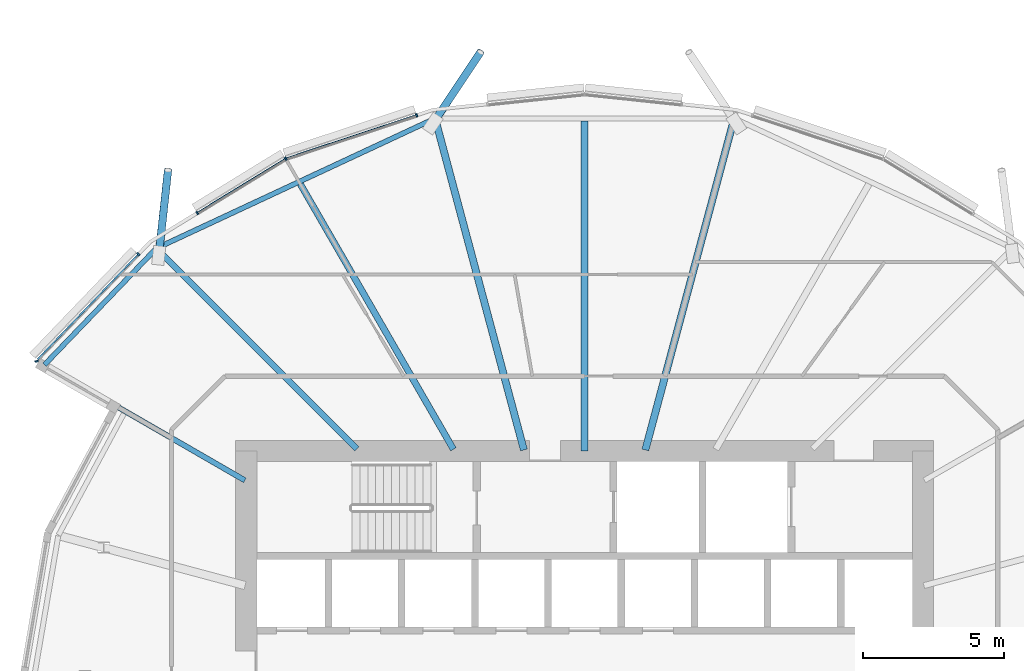
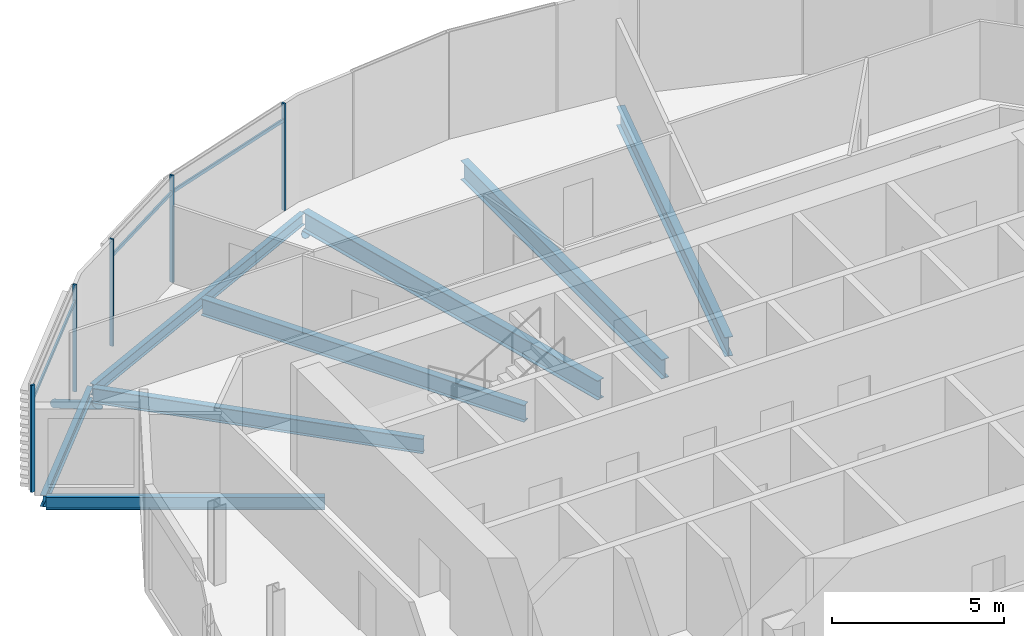
# One storey, part 10 of 38: 10 members, 8 beams, 1 element without a shape of its own.
"""IFC4 building model written with IfcOpenShell, lengths in metres."""

from ifc_helpers import new_model, si_unit, direction, frame, origin, origin_2d, place, context, subcontext, project, spatial, rectangle, hollow_circle, i_section, extrude, clip, halfspace, material, material_profile, profile_set, type_object, element, aggregate, save


model = new_model("IFC4")

# Units and contexts
model_context = context("Model", 3, precision=1e-05, world=origin(), true_north=direction((0.0, 1.0)))
body_context = subcontext(model_context, "Body", "Model", "MODEL_VIEW")
ifc_project = project(units=[si_unit("LENGTHUNIT", "METRE"), si_unit("AREAUNIT", "SQUARE_METRE"), si_unit("VOLUMEUNIT", "CUBIC_METRE"), si_unit("PLANEANGLEUNIT", "RADIAN"), si_unit("MASSUNIT", "GRAM", prefix="KILO")], contexts=[model_context])

# Site, building, storey
site_placement = place(None, origin())
site = spatial("IfcSite", under=ifc_project, at=site_placement, CompositionType="ELEMENT")
building_placement = place(site_placement, origin())
building = spatial("IfcBuilding", under=site, at=building_placement, Name="Rimbun Link Towers", CompositionType="ELEMENT")
storey_placement = place(building_placement, frame((0.0, 0.0, 123.39990234375)))
storey = spatial("IfcBuildingStorey", under=building, at=storey_placement, Name="L30", CompositionType="ELEMENT", Elevation=123.39990234375)

# Curtain wall, members
ifc_material_1 = material(Name="Aluminium 6063-T6 and low-iron glass", Category="aluminium")
curtain_wall_type = type_object("IfcCurtainWallType", Name="CW1-Z2 unitised vision wall (zone 2)", PredefinedType="NOTDEFINED", material=ifc_material_1)
curtain_wall_placement = place(storey_placement, origin())
curtain_wall = element("IfcCurtainWall", 1, at=curtain_wall_placement, inside=storey, type_object=curtain_wall_type, Name="CW1 L30 T1", PredefinedType="NOTDEFINED")
ifc_material_2 = material(Name="Aluminium 6063-T6", Category="aluminium")
ifc_material_profile_1 = material_profile(ifc_material_2, rectangle(XDim=0.1201171875, YDim=0.06005859375, at=origin_2d()), Name="MULLION 60X120")
ifc_profile_set_1 = profile_set([ifc_material_profile_1], Name="Aluminium 6063-T6")
member_type_1 = type_object("IfcMemberType", Name="CW1 mullion 60X120", PredefinedType="MULLION", material=ifc_profile_set_1)
member_1_placement = place(storey_placement, frame((-42.34619140625, 18.364013671875, 0.0), z_axis=(0.0, 0.0, 1.0), x_axis=(-0.421704717158, 0.9067332196, 0.0)))
member_1 = element("IfcMember", 2, at=member_1_placement, type_object=member_type_1, Name="CW1 mullion", PredefinedType="MULLION", context=body_context, shape_type="SweptSolid", body=[
    extrude(rectangle(XDim=0.1201171875, YDim=0.06005859375, at=origin_2d()), origin(), (0.0, 0.0, 1.0), 3.800048828125),
])
member_2_placement = place(storey_placement, frame((-37.706298828125, 19.90185546875, 0.0), z_axis=(0.0, 0.0, 1.0), x_axis=(-0.314563424855, 0.949236457235, 0.0)))
member_2 = element("IfcMember", 3, at=member_2_placement, type_object=member_type_1, Name="CW1 mullion", PredefinedType="MULLION", context=body_context, shape_type="SweptSolid", body=[
    extrude(rectangle(XDim=0.1201171875, YDim=0.06005859375, at=origin_2d()), origin(), (0.0, 0.0, 1.0), 3.800048828125),
])
member_3_placement = place(storey_placement, frame((-45.4853515625, 16.43701171875, 0.0), z_axis=(0.0, 0.0, 1.0), x_axis=(-0.523243332621, 0.852183322336, 0.0)))
member_3 = element("IfcMember", 4, at=member_3_placement, type_object=member_type_1, Name="CW1 mullion", PredefinedType="MULLION", context=body_context, shape_type="SweptSolid", body=[
    extrude(rectangle(XDim=0.1201171875, YDim=0.06005859375, at=origin_2d()), origin(), (0.0, 0.0, 1.0), 3.800048828125),
])
member_4_placement = place(storey_placement, frame((-51.182861328125, 11.1767578125, 0.0), z_axis=(0.0, 0.0, 1.0), x_axis=(-0.990015901246, -0.14095572099, 0.0)))
member_4 = element("IfcMember", 5, at=member_4_placement, type_object=member_type_1, Name="CW1 mullion", PredefinedType="MULLION", context=body_context, shape_type="SweptSolid", body=[
    extrude(rectangle(XDim=0.1201171875, YDim=0.06005859375, at=origin_2d()), origin(), (0.0, 0.0, 1.0), 3.800048828125),
])
member_5_placement = place(storey_placement, frame((-47.57421875, 14.97412109375, 0.0), z_axis=(0.0, 0.0, 1.0), x_axis=(-0.721834717261, 0.692065488922, 0.0)))
member_5 = element("IfcMember", 6, at=member_5_placement, type_object=member_type_1, Name="CW1 mullion", PredefinedType="MULLION", context=body_context, shape_type="SweptSolid", body=[
    extrude(rectangle(XDim=0.1201171875, YDim=0.06005859375, at=origin_2d()), origin(), (0.0, 0.0, 1.0), 3.800048828125),
])
ifc_material_3 = material(Name="Aluminium 6063-T6", Category="aluminium")
ifc_material_profile_2 = material_profile(ifc_material_3, rectangle(XDim=0.06005859375, YDim=0.1201171875, at=origin_2d()), Name="TRANSOM 60X120")
ifc_profile_set_2 = profile_set([ifc_material_profile_2], Name="Aluminium 6063-T6")
member_type_2 = type_object("IfcMemberType", Name="CW1 transom 60X120", PredefinedType="USERDEFINED", material=ifc_profile_set_2)
member_6_placement = place(storey_placement, frame((-42.310791015625, 18.3740234375, 3.2001953125), z_axis=(0.94923382133, 0.314571378933, 0.0), x_axis=(-0.314571378933, 0.94923382133, 0.0)))
member_6 = element("IfcMember", 7, at=member_6_placement, type_object=member_type_2, Name="CW1 transom", ObjectType="TRANSOM", PredefinedType="USERDEFINED", context=body_context, shape_type="SweptSolid", body=[
    extrude(rectangle(XDim=0.06005859375, YDim=0.1201171875, at=origin_2d()), origin(), (0.0, 0.0, 1.0), 4.8212890625),
])
member_7_placement = place(storey_placement, frame((-45.458740234375, 16.450927734375, 3.2001953125), z_axis=(0.85217016947, 0.52326475351, 0.0), x_axis=(-0.52326475351, 0.85217016947, 0.0)))
member_7 = element("IfcMember", 8, at=member_7_placement, type_object=member_type_2, Name="CW1 transom", ObjectType="TRANSOM", PredefinedType="USERDEFINED", context=body_context, shape_type="SweptSolid", body=[
    extrude(rectangle(XDim=0.06005859375, YDim=0.1201171875, at=origin_2d()), origin(), (0.0, 0.0, 1.0), 3.616455078125),
])
member_8_placement = place(storey_placement, frame((-51.14453125, 11.2470703125, 3.2001953125), z_axis=(0.692057260801, 0.721842605955, 0.0), x_axis=(-0.721842605955, 0.692057260801, 0.0)))
member_8 = element("IfcMember", 9, at=member_8_placement, type_object=member_type_2, Name="CW1 transom", ObjectType="TRANSOM", PredefinedType="USERDEFINED", context=body_context, shape_type="SweptSolid", body=[
    extrude(rectangle(XDim=0.06005859375, YDim=0.1201171875, at=origin_2d()), origin(), (0.0, 0.0, 1.0), 5.131103515625),
])
aggregate(curtain_wall, [member_1, member_2, member_3, member_4, member_5, member_6, member_7, member_8])

# Members
ifc_material_4 = material(Name="Steel S355J2H", Category="steel")
ifc_material_profile_3 = material_profile(ifc_material_4, hollow_circle(Radius=0.136474609375, WallThickness=0.012451171875, at=origin_2d()), Name="CHS 273x12.5")
ifc_profile_set_3 = profile_set([ifc_material_profile_3], Name="Steel S355J2H")
member_type_3 = type_object("IfcMemberType", Name="Floor edge link CHS 273x12.5", PredefinedType="BRACE", material=ifc_profile_set_3)
member_9_placement = place(storey_placement, frame((-37.03955078125, 19.740966796875, -0.96044921875), z_axis=(0.475000020344, 0.713765443874, -0.514697845152), x_axis=(-0.832504145229, 0.554018815724, 0.0)))
element("IfcMember", 10, at=member_9_placement, inside=storey, type_object=member_type_3, Name="Floor edge link T1 L30 07", PredefinedType="BRACE", context=body_context, shape_type="Clipping", body=[
    clip(extrude(hollow_circle(Radius=0.136474609375, WallThickness=0.012451171875, at=origin_2d()), frame((0.0, 0.0, -0.47412109375)), (0.0, 0.0, 1.0), 3.8505859375), halfspace(frame((0.0, 0.0, -0.2236328125), z_axis=(0.0, 0.857371639486, -0.514697845152)), False)),
])
member_10_placement = place(storey_placement, frame((-46.8349609375, 15.0849609375, -0.80908203125), z_axis=(0.092079486455, 0.843728337844, -0.528813634556), x_axis=(-0.994097552753, 0.108489887133, 0.0)))
element("IfcMember", 11, at=member_10_placement, inside=storey, type_object=member_type_3, Name="Floor edge link T1 L30 09", PredefinedType="BRACE", context=body_context, shape_type="Clipping", body=[
    clip(extrude(hollow_circle(Radius=0.136474609375, WallThickness=0.012451171875, at=origin_2d()), frame((0.0, 0.0, -0.45703125)), (0.0, 0.0, 1.0), 3.8720703125), halfspace(frame((0.0, 0.0, -0.2158203125), z_axis=(0.0, 0.848737968932, -0.528813634556)), False)),
])

# Beams
ifc_material_5 = material(Name="Steel S355J2", Category="steel")
ifc_material_profile_4 = material_profile(ifc_material_5, i_section(OverallWidth=0.177978515625, OverallDepth=0.406494140625, WebThickness=0.0078125, FlangeThickness=0.0126953125, at=origin_2d()), Name="UB 406x178x60")
ifc_profile_set_4 = profile_set([ifc_material_profile_4], Name="Steel S355J2")
beam_type_1 = type_object("IfcBeamType", Name="UB 406x178x60", PredefinedType="BEAM", material=ifc_profile_set_4)
beam_1_placement = place(storey_placement, frame((-37.170166015625, 19.734375, -0.363037109375), z_axis=(-0.906387823698, -0.422446580116, 0.0), x_axis=(0.422446580116, -0.906387823698, 0.0)))
element("IfcBeam", 12, at=beam_1_placement, inside=storey, type_object=beam_type_1, Name="Edge beam T1 L30 07-09", PredefinedType="BEAM", context=body_context, shape_type="SweptSolid", body=[
    extrude(i_section(OverallWidth=0.177978515625, OverallDepth=0.406494140625, WebThickness=0.0078125, FlangeThickness=0.0126953125, at=origin_2d()), origin(), (0.0, 0.0, 1.0), 10.65966796875),
])
beam_2_placement = place(storey_placement, frame((-46.9345703125, 15.18310546875, -0.363037109375), z_axis=(-0.692952668901, -0.720983077931, 0.0), x_axis=(0.720983077931, -0.692952668901, 0.0)))
element("IfcBeam", 13, at=beam_2_placement, inside=storey, type_object=beam_type_1, Name="Edge beam T1 L30 09", PredefinedType="BEAM", context=body_context, shape_type="SweptSolid", body=[
    extrude(i_section(OverallWidth=0.177978515625, OverallDepth=0.406494140625, WebThickness=0.0078125, FlangeThickness=0.0126953125, at=origin_2d()), origin(), (0.0, 0.0, 1.0), 5.722412109375),
])
ifc_material_6 = material(Name="Steel S355J2", Category="steel")
ifc_material_profile_5 = material_profile(ifc_material_6, i_section(OverallWidth=0.18994140625, OverallDepth=0.453369140625, WebThickness=0.008544921875, FlangeThickness=0.0126953125, at=origin_2d()), Name="UB 457x191x67")
ifc_profile_set_5 = profile_set([ifc_material_profile_5], Name="Steel S355J2")
beam_type_2 = type_object("IfcBeamType", Name="UB 457x191x67", PredefinedType="BEAM", material=ifc_profile_set_5)
beam_3_placement = place(storey_placement, frame((-43.79833984375, 6.9560546875, -0.38671875), z_axis=(-0.866022123962, 0.500005680777, 0.0), x_axis=(-0.500005680777, -0.866022123962, 0.0)))
element("IfcBeam", 14, at=beam_3_placement, inside=storey, type_object=beam_type_2, Name="Radial beam T1 L30 10", PredefinedType="BEAM", context=body_context, shape_type="SweptSolid", body=[
    extrude(i_section(OverallWidth=0.18994140625, OverallDepth=0.453369140625, WebThickness=0.008544921875, FlangeThickness=0.0126953125, at=origin_2d()), origin(), (0.0, 0.0, 1.0), 8.1083984375),
])
ifc_material_7 = material(Name="Steel S355J2", Category="steel")
ifc_material_profile_6 = material_profile(ifc_material_7, i_section(OverallWidth=0.209228515625, OverallDepth=0.533203125, WebThickness=0.010009765625, FlangeThickness=0.015625, at=origin_2d()), Name="UB 533x210x92")
ifc_profile_set_6 = profile_set([ifc_material_profile_6], Name="Steel S355J2")
beam_type_3 = type_object("IfcBeamType", Name="UB 533x210x92", PredefinedType="BEAM", material=ifc_profile_set_6)
beam_4_placement = place(storey_placement, frame((-39.82470703125, 8.07470703125, -0.426513671875), z_axis=(-0.707106781187, 0.707106781187, 0.0), x_axis=(-0.707106781187, -0.707106781187, 0.0)))
element("IfcBeam", 15, at=beam_4_placement, inside=storey, type_object=beam_type_3, Name="Radial beam T1 L30 09", PredefinedType="BEAM", context=body_context, shape_type="SweptSolid", body=[
    extrude(i_section(OverallWidth=0.209228515625, OverallDepth=0.533203125, WebThickness=0.010009765625, FlangeThickness=0.015625, at=origin_2d()), origin(), (0.0, 0.0, 1.0), 9.963623046875),
])
ifc_material_8 = material(Name="Steel S355J2", Category="steel")
ifc_material_profile_7 = material_profile(ifc_material_8, i_section(OverallWidth=0.2275390625, OverallDepth=0.6025390625, WebThickness=0.010498046875, FlangeThickness=0.014892578125, at=origin_2d()), Name="UB 610x229x101")
ifc_profile_set_7 = profile_set([ifc_material_profile_7], Name="Steel S355J2")
beam_type_4 = type_object("IfcBeamType", Name="UB 610x229x101", PredefinedType="BEAM", material=ifc_profile_set_7)
beam_5_placement = place(storey_placement, frame((-36.402099609375, 8.057861328125, -0.461181640625), z_axis=(-0.49999814997, 0.866026471897, 0.0), x_axis=(-0.866026471897, -0.49999814997, 0.0)))
element("IfcBeam", 16, at=beam_5_placement, inside=storey, type_object=beam_type_4, Name="Radial beam T1 L30 08", PredefinedType="BEAM", context=body_context, shape_type="SweptSolid", body=[
    extrude(i_section(OverallWidth=0.2275390625, OverallDepth=0.6025390625, WebThickness=0.010498046875, FlangeThickness=0.014892578125, at=origin_2d()), origin(), (0.0, 0.0, 1.0), 10.859375),
])
ifc_material_9 = material(Name="Steel S355J2", Category="steel")
ifc_material_profile_8 = material_profile(ifc_material_9, i_section(OverallWidth=0.253662109375, OverallDepth=0.68359375, WebThickness=0.012451171875, FlangeThickness=0.01904296875, at=origin_2d()), Name="UB 686x254x140")
ifc_profile_set_8 = profile_set([ifc_material_profile_8], Name="Steel S355J2")
beam_type_5 = type_object("IfcBeamType", Name="UB 686x254x140", PredefinedType="BEAM", material=ifc_profile_set_8)
beam_6_placement = place(storey_placement, frame((-29.597412109375, 8.03369140625, -0.501708984375), z_axis=(0.258818641485, 0.965925934438, 0.0), x_axis=(-0.965925934438, 0.258818641485, 0.0)))
element("IfcBeam", 17, at=beam_6_placement, inside=storey, type_object=beam_type_5, Name="Radial beam T1 L30 05", PredefinedType="BEAM", context=body_context, shape_type="SweptSolid", body=[
    extrude(i_section(OverallWidth=0.253662109375, OverallDepth=0.68359375, WebThickness=0.012451171875, FlangeThickness=0.01904296875, at=origin_2d()), origin(), (0.0, 0.0, 1.0), 12.17041015625),
])
beam_7_placement = place(storey_placement, frame((-31.75, 8.0009765625, -0.501708984375), z_axis=(0.0, 1.0, 0.0), x_axis=(-1.0, 0.0, 0.0)))
element("IfcBeam", 18, at=beam_7_placement, inside=storey, type_object=beam_type_5, Name="Radial beam T1 L30 06", PredefinedType="BEAM", context=body_context, shape_type="SweptSolid", body=[
    extrude(i_section(OverallWidth=0.253662109375, OverallDepth=0.68359375, WebThickness=0.012451171875, FlangeThickness=0.01904296875, at=origin_2d()), origin(), (0.0, 0.0, 1.0), 11.6982421875),
])
beam_8_placement = place(storey_placement, frame((-33.902587890625, 8.03369140625, -0.501708984375), z_axis=(-0.258818641485, 0.965925934438, 0.0), x_axis=(-0.965925934438, -0.258818641485, 0.0)))
element("IfcBeam", 19, at=beam_8_placement, inside=storey, type_object=beam_type_5, Name="Radial beam T1 L30 07", PredefinedType="BEAM", context=body_context, shape_type="SweptSolid", body=[
    extrude(i_section(OverallWidth=0.253662109375, OverallDepth=0.68359375, WebThickness=0.012451171875, FlangeThickness=0.01904296875, at=origin_2d()), origin(), (0.0, 0.0, 1.0), 12.17041015625),
])

save(model, "model.ifc")
